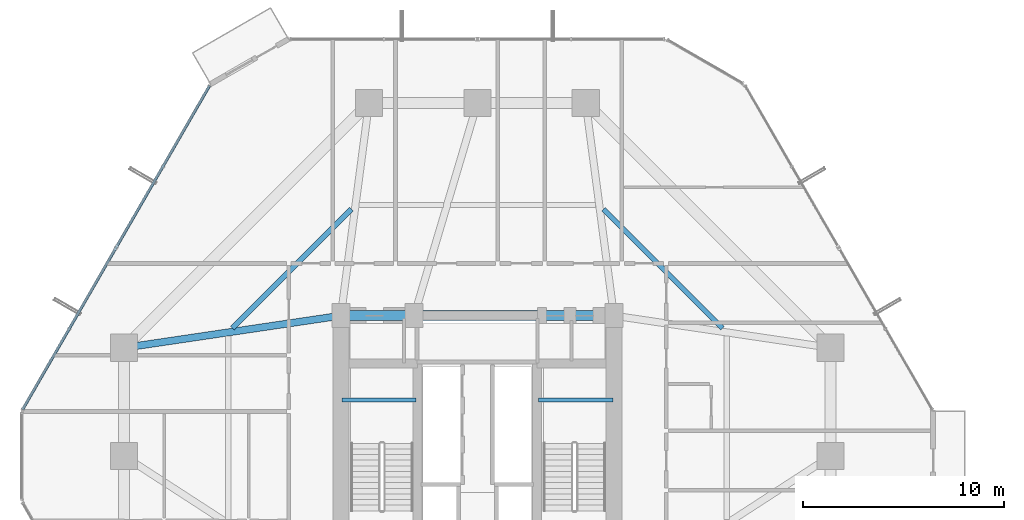
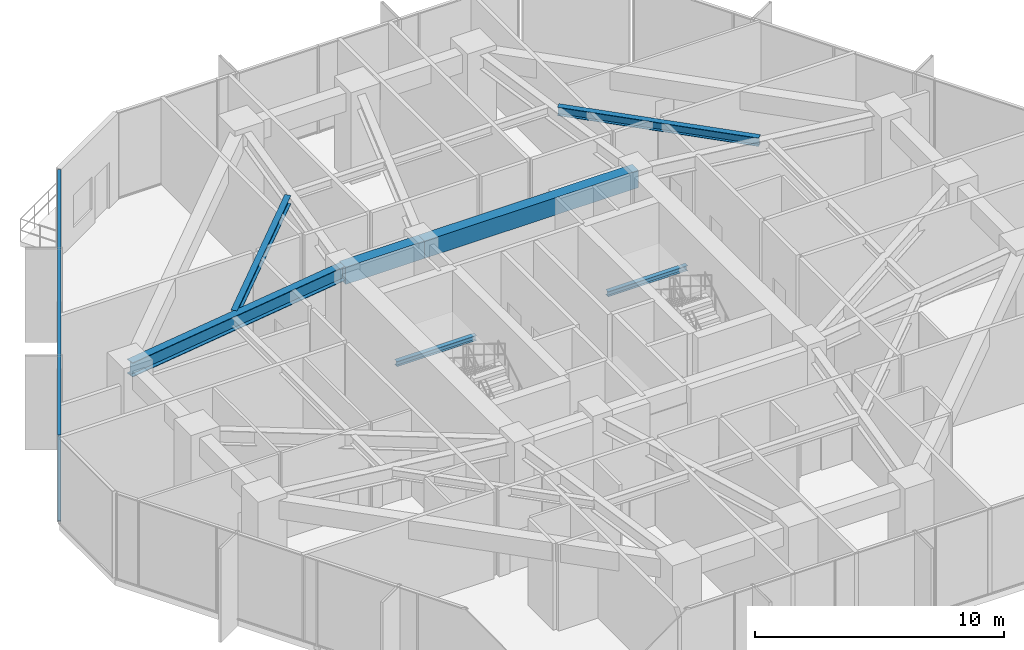
# One storey, part 13 of 39: 7 beams, 2 members, 1 element without a shape of its own.
"""IFC4 building model written with IfcOpenShell, lengths in metres."""

from ifc_helpers import new_model, si_unit, direction, frame, origin, origin_2d, place, context, subcontext, project, spatial, rectangle, hollow_rectangle, i_section, extrude, source, transform, mapped, material, layer, layer_set, material_profile, profile_set, type_object, element, aggregate, save


model = new_model("IFC4")

# Units and contexts
model_context = context("Model", 3, precision=1e-05, world=origin(), true_north=direction((0.0, 1.0)))
body_context = subcontext(model_context, "Body", "Model", "MODEL_VIEW")
ifc_project = project(units=[si_unit("LENGTHUNIT", "METRE"), si_unit("AREAUNIT", "SQUARE_METRE"), si_unit("VOLUMEUNIT", "CUBIC_METRE"), si_unit("PLANEANGLEUNIT", "RADIAN"), si_unit("MASSUNIT", "GRAM", prefix="KILO")], contexts=[model_context])

# Site, building, storey
site_placement = place(None, origin())
site = spatial("IfcSite", under=ifc_project, at=site_placement, CompositionType="ELEMENT")
building_placement = place(site_placement, origin())
building = spatial("IfcBuilding", under=site, at=building_placement, Name="Veraguas Prism Commons", CompositionType="ELEMENT")
storey_placement = place(building_placement, frame((0.0, 0.0, 22.800048828125)))
storey = spatial("IfcBuildingStorey", under=building, at=storey_placement, Name="L05", CompositionType="ELEMENT", Elevation=22.800048828125)

# Beams
ifc_material_1 = material(Name="Concrete C50/60", Category="concrete")
ifc_material_profile_1 = material_profile(ifc_material_1, rectangle(XDim=0.5, YDim=0.85009765625, at=origin_2d()), Name="RC500X850")
ifc_profile_set_1 = profile_set([ifc_material_profile_1], Name="Concrete C50/60")
beam_type_1 = type_object("IfcBeamType", Name="Core Coupling Beam RC 500x850", PredefinedType="BEAM", material=ifc_profile_set_1)
beam_1_placement = place(storey_placement, frame((17.199951171875, 31.0, 3.824951171875), z_axis=(1.0, 0.0, 0.0), x_axis=(0.0, 1.0, 0.0)))
element("IfcBeam", 1, at=beam_1_placement, inside=storey, type_object=beam_type_1, Name="Core Coupling Beam L05-CRN1", PredefinedType="BEAM", context=body_context, shape_type="SweptSolid", body=[
    extrude(rectangle(XDim=0.5, YDim=0.85009765625, at=origin_2d()), origin(), (0.0, 0.0, 1.0), 3.650146484375),
])
beam_2_placement = place(storey_placement, frame((20.85009765625, 31.0, 3.824951171875), z_axis=(1.0, 0.0, 0.0), x_axis=(0.0, 1.0, 0.0)))
element("IfcBeam", 2, at=beam_2_placement, inside=storey, type_object=beam_type_1, Name="Core Coupling Beam L05-CRN2", PredefinedType="BEAM", context=body_context, shape_type="SweptSolid", body=[
    extrude(rectangle(XDim=0.5, YDim=0.85009765625, at=origin_2d()), origin(), (0.0, 0.0, 1.0), 9.949951171875),
])
ifc_material_2 = material(Name="Steel ASTM A992 Grade 50", Category="steel")
ifc_material_profile_2 = material_profile(ifc_material_2, i_section(OverallWidth=0.260986328125, OverallDepth=0.419921875, WebThickness=0.01171875, FlangeThickness=0.019287109375, at=origin_2d()), Name="W410X114")
ifc_profile_set_2 = profile_set([ifc_material_profile_2], Name="Steel ASTM A992 Grade 50")
beam_type_2 = type_object("IfcBeamType", Name="Lower Floor Joist W410x114", PredefinedType="JOIST", material=ifc_profile_set_2)
for number, where, z_axis, x_axis, name in (
    (3, (36.20703125, 30.376953125, 4.0400390625), (-0.707092226423, 0.70712133565, 0.0), (-0.70712133565, -0.707092226423, 0.0), "Composite Floor Joist L05-JS03"),
    (4, (17.723388671875, 36.3076171875, 4.0400390625), (-0.707092226423, -0.70712133565, 0.0), (0.70712133565, -0.707092226423, 0.0), "Composite Floor Joist L05-JS06"),
):
    element("IfcBeam", number, at=place(storey_placement, frame(where, z_axis=z_axis, x_axis=x_axis)), inside=storey, type_object=beam_type_2, Name=name, PredefinedType="JOIST", context=body_context, shape_type="SweptSolid", body=[
        extrude(i_section(OverallWidth=0.260986328125, OverallDepth=0.419921875, WebThickness=0.01171875, FlangeThickness=0.019287109375, at=origin_2d()), origin(), (0.0, 0.0, 1.0), 8.386962890625),
    ])
ifc_material_profile_3 = material_profile(ifc_material_2, i_section(OverallWidth=0.202880859375, OverallDepth=0.251953125, WebThickness=0.008056640625, FlangeThickness=0.013427734375, at=origin_2d()), Name="W250X58")
ifc_profile_set_3 = profile_set([ifc_material_profile_3], Name="Steel ASTM A992 Grade 50")
beam_type_3 = type_object("IfcBeamType", Name="Structural Opening Lintel W250x58", PredefinedType="LINTEL", material=ifc_profile_set_3)
for number, where, z_axis, x_axis, name in (
    (5, (17.25, 26.800048828125, 1.924072265625), (1.0, 0.0, 0.0), (0.0, 1.0, 0.0), "Stair ST-01 Half-Landing Support Beam L05-1"),
    (6, (27.050048828125, 26.800048828125, 1.924072265625), (1.0, 0.0, 0.0), (0.0, 1.0, 0.0), "Stair ST-02 Half-Landing Support Beam L05-1"),
):
    element("IfcBeam", number, at=place(storey_placement, frame(where, z_axis=z_axis, x_axis=x_axis)), inside=storey, type_object=beam_type_3, Name=name, PredefinedType="LINTEL", context=body_context, shape_type="SweptSolid", body=[
        extrude(i_section(OverallWidth=0.202880859375, OverallDepth=0.251953125, WebThickness=0.008056640625, FlangeThickness=0.013427734375, at=origin_2d()), origin(), (0.0, 0.0, 1.0), 3.699951171875),
    ])
ifc_material_profile_4 = material_profile(ifc_material_2, i_section(OverallWidth=0.35595703125, OverallDepth=0.700927734375, WebThickness=0.016845703125, FlangeThickness=0.02734375, at=origin_2d()), Name="W690X240")
ifc_profile_set_4 = profile_set([ifc_material_profile_4], Name="Steel ASTM A992 Grade 50")
beam_type_4 = type_object("IfcBeamType", Name="Zone 1 Radial Girder W690x240", PredefinedType="BEAM", material=ifc_profile_set_4)
beam_3_placement = place(storey_placement, frame((6.39990234375, 29.39990234375, 3.8994140625), z_axis=(0.989202261707, 0.146556765224, 0.0), x_axis=(-0.146556765224, 0.989202261707, 0.0)))
element("IfcBeam", 7, at=beam_3_placement, inside=storey, type_object=beam_type_4, Name="Radial Floor Girder L05-RD07", PredefinedType="BEAM", context=body_context, shape_type="SweptSolid", body=[
    extrude(i_section(OverallWidth=0.35595703125, OverallDepth=0.700927734375, WebThickness=0.016845703125, FlangeThickness=0.02734375, at=origin_2d()), origin(), (0.0, 0.0, 1.0), 10.91796875),
])

# Curtain wall, members
ifc_material_3 = material(Name="Anodised aluminium EN AW-6063 T6", Category="aluminium")
ifc_layer = layer(ifc_material_3, 0.169921875, Name="Unitised Flush Curtain Wall Zone 1", Category="aluminium")
ifc_layer_set = layer_set([ifc_layer], Name="Anodised aluminium EN AW-6063 T6")
curtain_wall_type = type_object("IfcCurtainWallType", Name="Unitised Flush Curtain Wall Zone 1", PredefinedType="NOTDEFINED", material=ifc_layer_set)
curtain_wall_placement = place(storey_placement, origin())
curtain_wall = element("IfcCurtainWall", 8, at=curtain_wall_placement, inside=storey, type_object=curtain_wall_type, Name="Tower Facade Curtain Wall L05-F3", PredefinedType="NOTDEFINED")
ifc_material_profile_5 = material_profile(ifc_material_3, hollow_rectangle(XDim=0.054931640625, YDim=0.135009765625, WallThickness=0.0029296875, at=origin_2d()), Name="AL55X135X3")
ifc_profile_set_5 = profile_set([ifc_material_profile_5], Name="Anodised aluminium EN AW-6063 T6")
member_type = type_object("IfcMemberType", Name="Curtain Wall Transom Standard AL 55x135x3", PredefinedType="USERDEFINED", material=ifc_profile_set_5)
shared_shape = source(origin(), body_context, "Body", "SweptSolid", [
    extrude(hollow_rectangle(XDim=0.054931640625, YDim=0.135009765625, WallThickness=0.0029296875, at=origin_2d()), origin(), (0.0, 0.0, 1.0), 18.623779296875),
])
member_1_placement = place(storey_placement, frame((10.656005859375, 42.45654296875, 0.02734375), z_axis=(-0.500005006005, -0.866022513547, 0.0), x_axis=(0.0, 0.0, 1.0)))
member_1 = element("IfcMember", 9, at=member_1_placement, type_object=member_type, Name="CW-Z1 Transom 1", ObjectType="TRANSOM", PredefinedType="USERDEFINED", context=body_context, shape_type="MappedRepresentation", body=[
    mapped(shared_shape, transform((0.0, 0.0, 0.0), scale=1.0)),
])
member_2_placement = place(storey_placement, frame((10.656005859375, 42.45654296875, 4.222412109375), z_axis=(-0.500005006005, -0.866022513547, 0.0), x_axis=(0.0, 0.0, 1.0)))
member_2 = element("IfcMember", 10, at=member_2_placement, type_object=member_type, Name="CW-Z1 Transom 2", ObjectType="TRANSOM", PredefinedType="USERDEFINED", context=body_context, shape_type="MappedRepresentation", body=[
    mapped(shared_shape, transform((0.0, 0.0, 0.0), scale=1.0)),
])
aggregate(curtain_wall, [member_1, member_2])

save(model, "model.ifc")
